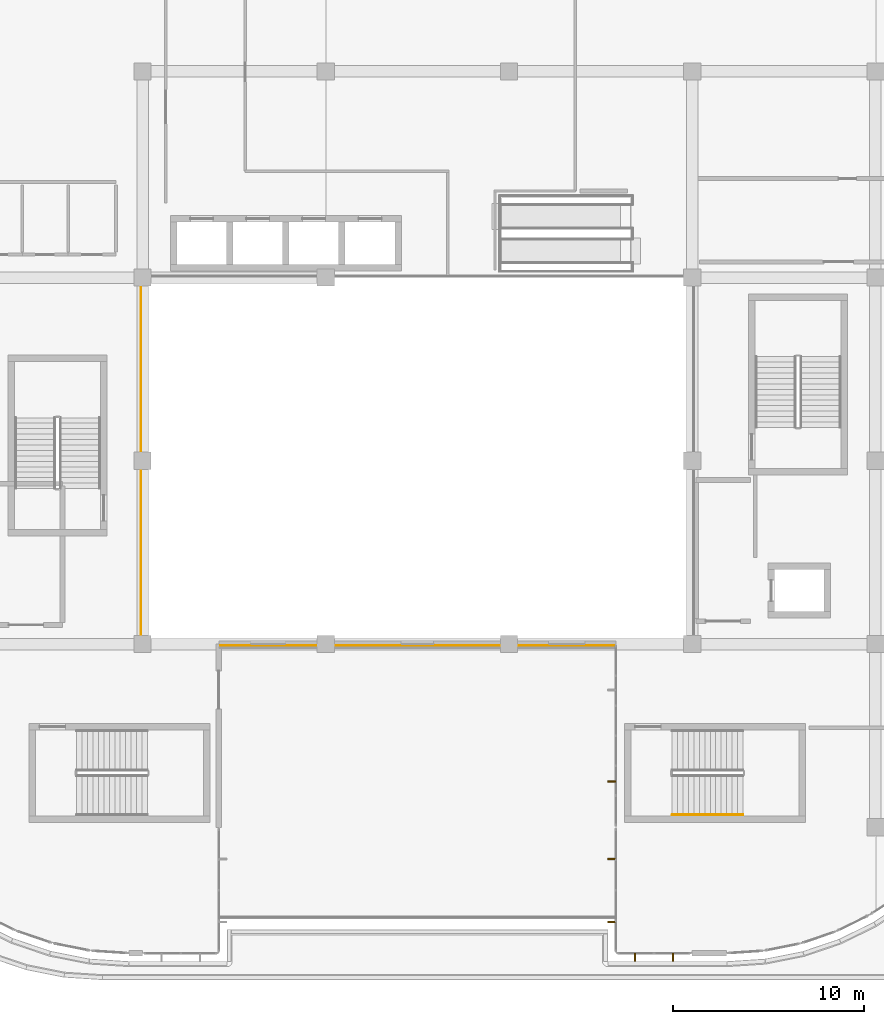
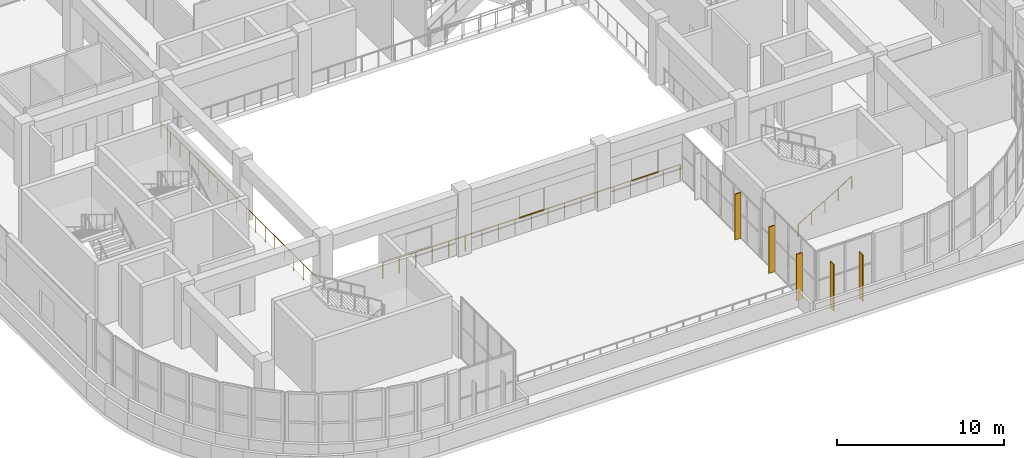
# One storey, part 77 of 96: 5 shading devices, 3 railings.
"""IFC4 building model written with IfcOpenShell, lengths in metres."""

import ifcopenshell
import ifcopenshell.guid

model = None  # the IFC model being written
_history = None  # IfcOwnerHistory: only IFC2X3 demands one
_inside = {}  # id of a spatial element -> (the spatial element, [elements in it])
_under = {}  # id of a project, library or spatial element -> (it, [spatial elements below it])
_declared = {}  # id of a project -> (the project, [libraries it declares])
_typed = {}  # id of a type object -> (the type object, [elements of that type])
_made_of = {}  # id of a material, layer set ... -> (it, [elements and type objects made of it])


def new_model(schema):
    """Start an empty IFC model of exactly this schema.

    Asked for "IFC4X3", IfcOpenShell would pick the latest addendum, in which some entities
    have other attributes; the version numbers below select the first issue.
    IFC2X3 requires an IfcOwnerHistory on every rooted entity: one is made here for all.
    """
    global model, _history
    if schema == "IFC4X3":
        model = ifcopenshell.file(schema_version=(4, 3, 0, 0))
    else:
        model = ifcopenshell.file(schema=schema)
    _inside.clear()
    _under.clear()
    _declared.clear()
    _typed.clear()
    _made_of.clear()
    _history = None
    if model.schema == "IFC2X3":
        org = make("IfcOrganization", Name="unknown")
        user = make(
            "IfcPersonAndOrganization",
            ThePerson=make("IfcPerson", FamilyName="unknown"),
            TheOrganization=org,
        )
        app = make(
            "IfcApplication",
            ApplicationDeveloper=org,
            Version="unknown",
            ApplicationFullName="unknown",
            ApplicationIdentifier="unknown",
        )
        _history = make(
            "IfcOwnerHistory",
            OwningUser=user,
            OwningApplication=app,
            ChangeAction="ADDED",
            CreationDate=0,
        )
    return model


def make(cls, **values):
    """One entity of the class cls with the attributes given. An attribute that is None is left unset."""
    return model.create_entity(
        cls, **{name: value for name, value in values.items() if value is not None}
    )


def rooted(cls, **values):
    """An entity with a GlobalId (a new one), such as an element, a storey or a relation."""
    return make(cls, GlobalId=ifcopenshell.guid.new(), OwnerHistory=_history, **values)


def si_unit(unit_type, name, prefix=None):
    """IfcSIUnit, for example si_unit("LENGTHUNIT", "METRE", prefix="MILLI")."""
    return make("IfcSIUnit", UnitType=unit_type, Prefix=prefix, Name=name)


def assignment(units):
    """IfcUnitAssignment: the units of a project."""
    return None if units is None else make("IfcUnitAssignment", Units=units)


def point(xyz):
    """IfcCartesianPoint."""
    return None if xyz is None else make("IfcCartesianPoint", Coordinates=xyz)


def direction(xyz):
    """IfcDirection."""
    return None if xyz is None else make("IfcDirection", DirectionRatios=xyz)


def frame(location, z_axis=None, x_axis=None):
    """IfcAxis2Placement3D, a coordinate frame: its origin and axes. An axis left out is left unset."""
    return make(
        "IfcAxis2Placement3D",
        Location=point(location),
        Axis=direction(z_axis),
        RefDirection=direction(x_axis),
    )


def frame_2d(location, x_axis=None):
    """IfcAxis2Placement2D, a coordinate frame in the plane: its origin and x axis."""
    return make(
        "IfcAxis2Placement2D", Location=point(location), RefDirection=direction(x_axis)
    )


def origin():
    """The frame at (0, 0, 0) with its axes left unset."""
    return frame((0.0, 0.0, 0.0))


def origin_2d():
    """The frame at (0, 0) in the plane with its x axis left unset."""
    return frame_2d((0.0, 0.0))


def place(relative_to, where):
    """IfcLocalPlacement: puts the frame where relative to a parent placement (None: the world)."""
    return make(
        "IfcLocalPlacement", PlacementRelTo=relative_to, RelativePlacement=where
    )


def context(
    kind, dimensions, precision=None, world=None, true_north=None, identifier=None
):
    """IfcGeometricRepresentationContext, for example the 3D "Model" context."""
    return make(
        "IfcGeometricRepresentationContext",
        ContextIdentifier=identifier,
        ContextType=kind,
        CoordinateSpaceDimension=dimensions,
        Precision=precision,
        WorldCoordinateSystem=world,
        TrueNorth=true_north,
    )


def subcontext(parent, identifier, kind, view, scale=None):
    """IfcGeometricRepresentationSubContext, for example "Body" below "Model"."""
    return make(
        "IfcGeometricRepresentationSubContext",
        ContextIdentifier=identifier,
        ContextType=kind,
        ParentContext=parent,
        TargetScale=scale,
        TargetView=view,
    )


def project(units=None, contexts=None):
    """IfcProject with its units and contexts."""
    return rooted(
        "IfcProject",
        Name="project",
        RepresentationContexts=contexts,
        UnitsInContext=assignment(units),
    )


def spatial(cls, under=None, at=None, **own):
    """A site, building, storey or space (cls), placed at a placement, below another one or the project."""
    s = rooted(cls, ObjectPlacement=at, **own)
    if under is not None:
        _under.setdefault(under.id(), (under, []))[1].append(s)
    return s


def profile(cls, at=None, kind="AREA", **sizes):
    """A parametric profile (cls). Its sizes go by their IFC names, for example OverallWidth=200.0."""
    return make(cls, ProfileType=kind, Position=at, **sizes)


def rectangle(**sizes):
    """IfcRectangleProfileDef."""
    return profile("IfcRectangleProfileDef", **sizes)


def circle(**sizes):
    """IfcCircleProfileDef."""
    return profile("IfcCircleProfileDef", **sizes)


def extrude(swept, where, along, depth):
    """IfcExtrudedAreaSolid: the profile swept, set in the frame where, extruded along a direction by depth."""
    return make(
        "IfcExtrudedAreaSolid",
        SweptArea=swept,
        Position=where,
        ExtrudedDirection=direction(along),
        Depth=depth,
    )


def shape(context_of_items, identifier, shape_type, items):
    """IfcShapeRepresentation: the items that make up one representation, for example the "Body"."""
    return make(
        "IfcShapeRepresentation",
        ContextOfItems=context_of_items,
        RepresentationIdentifier=identifier,
        RepresentationType=shape_type,
        Items=items,
    )


def material(Name=None, Category=None):
    """IfcMaterial."""
    return make("IfcMaterial", Name=Name, Category=Category)


def made_of(thing, what):
    """Note that an element or type object is made of a material, layer set ...; save() writes the relation."""
    if what is not None:
        _made_of.setdefault(what.id(), (what, []))[1].append(thing)
    return thing


def type_object(cls, material=None, **own):
    """A type object (cls), such as IfcWallType, which elements share."""
    return made_of(rooted(cls, **own), material)


def element(
    cls,
    number,
    at=None,
    inside=None,
    cuts=None,
    type_object=None,
    material=None,
    context=None,
    identifier="Body",
    shape_type=None,
    held_by="IfcProductDefinitionShape",
    body=None,
    shapes=None,
    **own,
):
    """One element of the class cls, such as IfcWall. Its Tag is "e" and its number.

    at: its placement. inside: the storey or other place that contains it. cuts: it is an
    opening in that element (IfcRelVoidsElement). A single representation is given by context,
    identifier, shape_type and body (its items); several are given by shapes. held_by: the class
    of the entity that holds the representations. save() writes the other relations.
    """
    e = rooted(cls, Tag="e%d" % number, ObjectPlacement=at, **own)
    if body is not None:
        shapes = [shape(context, identifier, shape_type, body)]
    if shapes is not None:
        e.Representation = make(held_by, Representations=shapes)
    if inside is not None:
        _inside.setdefault(inside.id(), (inside, []))[1].append(e)
    if cuts is not None:
        rooted(
            "IfcRelVoidsElement", RelatingBuildingElement=cuts, RelatedOpeningElement=e
        )
    if type_object is not None:
        _typed.setdefault(type_object.id(), (type_object, []))[1].append(e)
    return made_of(e, material)


def aggregate(whole, parts):
    """IfcRelAggregates: a whole, such as a stair, and the parts it consists of."""
    return rooted("IfcRelAggregates", RelatingObject=whole, RelatedObjects=parts)


def save(model, path):
    """Write the relations noted so far, then the file.

    IfcRelAggregates (storeys below a building ...), IfcRelContainedInSpatialStructure (elements
    in a storey), IfcRelDefinesByType, IfcRelAssociatesMaterial and IfcRelDeclares: one each for
    every whole, place, type object, material and project.
    """
    for whole, parts in _under.values():
        aggregate(whole, parts)
    for where, things in _inside.values():
        rooted(
            "IfcRelContainedInSpatialStructure",
            RelatedElements=things,
            RelatingStructure=where,
        )
    for kind, things in _typed.values():
        rooted("IfcRelDefinesByType", RelatedObjects=things, RelatingType=kind)
    for what, things in _made_of.values():
        rooted("IfcRelAssociatesMaterial", RelatedObjects=things, RelatingMaterial=what)
    for by, libraries in _declared.values():
        rooted("IfcRelDeclares", RelatingContext=by, RelatedDefinitions=libraries)
    model.write(path)


model = new_model("IFC4")

# Units and contexts
model_context = context("Model", 3, precision=1e-05, world=origin(), true_north=direction((0.0, 1.0)))
body_context = subcontext(model_context, "Body", "Model", "MODEL_VIEW")
ifc_project = project(units=[si_unit("LENGTHUNIT", "METRE"), si_unit("AREAUNIT", "SQUARE_METRE"), si_unit("VOLUMEUNIT", "CUBIC_METRE"), si_unit("PLANEANGLEUNIT", "RADIAN"), si_unit("MASSUNIT", "GRAM", prefix="KILO")], contexts=[model_context])

# Site, building, storey
site_placement = place(None, origin())
site = spatial("IfcSite", under=ifc_project, at=site_placement, CompositionType="ELEMENT")
building_placement = place(site_placement, origin())
building = spatial("IfcBuilding", under=site, at=building_placement, Name="Cendralis Terraced Arcade", CompositionType="ELEMENT")
storey_placement = place(building_placement, frame((0.0, 0.0, 10.199951171875)))
storey = spatial("IfcBuildingStorey", under=building, at=storey_placement, Name="L02", CompositionType="ELEMENT", Elevation=10.199951171875)

# Railings
ifc_material_1 = material(Name="Brushed stainless steel AISI 316", Category="steel")
railing_type_1 = type_object("IfcRailingType", Name="RL-STAIR-HAND-900", PredefinedType="HANDRAIL", material=ifc_material_1)
railing_1_placement = place(storey_placement, frame((46.949951171875, 10.25, 0.17138671875)))
element("IfcRailing", 1, at=railing_1_placement, inside=storey, type_object=railing_type_1, Name="L02 ST-03 stair handrail 1", PredefinedType="HANDRAIL", context=body_context, shape_type="SweptSolid", body=[
    extrude(circle(Radius=0.02392578125, at=origin_2d()), frame((0.0, 0.0, 0.8759765625), z_axis=(0.856909459561, 0.0, 0.515466951525), x_axis=(0.0, 1.0, 0.0)), (0.0, 0.0, 1.0), 4.32373046875),
    extrude(circle(Radius=0.02099609375, at=origin_2d()), origin(), (0.0, 0.0, 1.0), 0.851806640625),
    extrude(circle(Radius=0.02099609375, at=origin_2d()), frame((0.92626953125, 0.0, 0.55712890625)), (0.0, 0.0, 1.0), 0.851806640625),
    extrude(circle(Radius=0.02099609375, at=origin_2d()), frame((1.8525390625, 0.0, 1.1142578125)), (0.0, 0.0, 1.0), 0.851806640625),
    extrude(circle(Radius=0.02099609375, at=origin_2d()), frame((2.77880859375, 0.0, 1.671630859375)), (0.0, 0.0, 1.0), 0.851806640625),
    extrude(circle(Radius=0.02099609375, at=origin_2d()), frame((3.705078125, 0.0, 2.228759765625)), (0.0, 0.0, 1.0), 0.851806640625),
])
railing_type_2 = type_object("IfcRailingType", Name="RL-TER-GUARD-1150", PredefinedType="GUARDRAIL", material=ifc_material_1)
railing_2_placement = place(storey_placement, frame((23.300048828125, 19.1201171875, 0.0)))
element("IfcRailing", 2, at=railing_2_placement, inside=storey, type_object=railing_type_2, Name="Planted Terrace Perimeter Guardrail GR-TER-L02-002", PredefinedType="GUARDRAIL", context=body_context, shape_type="SweptSolid", body=[
    extrude(circle(Radius=0.02392578125, at=origin_2d()), frame((0.0, 0.0, 1.1259765625), z_axis=(1.0, 0.0, 0.0), x_axis=(0.0, 1.0, 0.0)), (0.0, 0.0, 1.0), 20.599853515625),
    extrude(circle(Radius=0.02099609375, at=origin_2d()), origin(), (0.0, 0.0, 1.0), 1.101806640625),
    extrude(circle(Radius=0.02099609375, at=origin_2d()), frame((1.14453125, 0.0, 0.0)), (0.0, 0.0, 1.0), 1.101806640625),
    extrude(circle(Radius=0.02099609375, at=origin_2d()), frame((2.288818359375, 0.0, 0.0)), (0.0, 0.0, 1.0), 1.101806640625),
    extrude(circle(Radius=0.02099609375, at=origin_2d()), frame((3.433349609375, 0.0, 0.0)), (0.0, 0.0, 1.0), 1.101806640625),
    extrude(circle(Radius=0.02099609375, at=origin_2d()), frame((4.57763671875, 0.0, 0.0)), (0.0, 0.0, 1.0), 1.101806640625),
    extrude(circle(Radius=0.02099609375, at=origin_2d()), frame((5.72216796875, 0.0, 0.0)), (0.0, 0.0, 1.0), 1.101806640625),
    extrude(circle(Radius=0.02099609375, at=origin_2d()), frame((6.86669921875, 0.0, 0.0)), (0.0, 0.0, 1.0), 1.101806640625),
    extrude(circle(Radius=0.02099609375, at=origin_2d()), frame((8.010986328125, 0.0, 0.0)), (0.0, 0.0, 1.0), 1.101806640625),
    extrude(circle(Radius=0.02099609375, at=origin_2d()), frame((9.155517578125, 0.0, 0.0)), (0.0, 0.0, 1.0), 1.101806640625),
    extrude(circle(Radius=0.02099609375, at=origin_2d()), frame((10.2998046875, 0.0, 0.0)), (0.0, 0.0, 1.0), 1.101806640625),
    extrude(circle(Radius=0.02099609375, at=origin_2d()), frame((11.4443359375, 0.0, 0.0)), (0.0, 0.0, 1.0), 1.101806640625),
    extrude(circle(Radius=0.02099609375, at=origin_2d()), frame((12.5888671875, 0.0, 0.0)), (0.0, 0.0, 1.0), 1.101806640625),
    extrude(circle(Radius=0.02099609375, at=origin_2d()), frame((13.733154296875, 0.0, 0.0)), (0.0, 0.0, 1.0), 1.101806640625),
    extrude(circle(Radius=0.02099609375, at=origin_2d()), frame((14.877685546875, 0.0, 0.0)), (0.0, 0.0, 1.0), 1.101806640625),
    extrude(circle(Radius=0.02099609375, at=origin_2d()), frame((16.022216796875, 0.0, 0.0)), (0.0, 0.0, 1.0), 1.101806640625),
    extrude(circle(Radius=0.02099609375, at=origin_2d()), frame((17.16650390625, 0.0, 0.0)), (0.0, 0.0, 1.0), 1.101806640625),
    extrude(circle(Radius=0.02099609375, at=origin_2d()), frame((18.31103515625, 0.0, 0.0)), (0.0, 0.0, 1.0), 1.101806640625),
    extrude(circle(Radius=0.02099609375, at=origin_2d()), frame((19.455322265625, 0.0, 0.0)), (0.0, 0.0, 1.0), 1.101806640625),
    extrude(circle(Radius=0.02099609375, at=origin_2d()), frame((20.599853515625, 0.0, 0.0)), (0.0, 0.0, 1.0), 1.101806640625),
])
railing_type_3 = type_object("IfcRailingType", Name="RL-VOID-BAL-1150", PredefinedType="BALUSTRADE", material=ifc_material_1)
railing_3_placement = place(storey_placement, frame((19.1201171875, 38.47998046875, 0.0)))
element("IfcRailing", 3, at=railing_3_placement, inside=storey, type_object=railing_type_3, Name="Atrium and Arcade Gallery Balustrade L02-050", PredefinedType="BALUSTRADE", context=body_context, shape_type="SweptSolid", body=[
    extrude(circle(Radius=0.02392578125, at=origin_2d()), frame((0.0, 0.0, 1.1259765625), z_axis=(0.0, -1.0, 0.0), x_axis=(1.0, 0.0, 0.0)), (0.0, 0.0, 1.0), 19.35986328125),
    extrude(circle(Radius=0.02099609375, at=origin_2d()), origin(), (0.0, 0.0, 1.0), 1.101806640625),
    extrude(circle(Radius=0.02099609375, at=origin_2d()), frame((0.0, -1.138916015625, 0.0)), (0.0, 0.0, 1.0), 1.101806640625),
    extrude(circle(Radius=0.02099609375, at=origin_2d()), frame((0.0, -2.277587890625, 0.0)), (0.0, 0.0, 1.0), 1.101806640625),
    extrude(circle(Radius=0.02099609375, at=origin_2d()), frame((0.0, -3.41650390625, 0.0)), (0.0, 0.0, 1.0), 1.101806640625),
    extrude(circle(Radius=0.02099609375, at=origin_2d()), frame((0.0, -4.55517578125, 0.0)), (0.0, 0.0, 1.0), 1.101806640625),
    extrude(circle(Radius=0.02099609375, at=origin_2d()), frame((0.0, -5.694091796875, 0.0)), (0.0, 0.0, 1.0), 1.101806640625),
    extrude(circle(Radius=0.02099609375, at=origin_2d()), frame((0.0, -6.8330078125, 0.0)), (0.0, 0.0, 1.0), 1.101806640625),
    extrude(circle(Radius=0.02099609375, at=origin_2d()), frame((0.0, -7.9716796875, 0.0)), (0.0, 0.0, 1.0), 1.101806640625),
    extrude(circle(Radius=0.02099609375, at=origin_2d()), frame((0.0, -9.110595703125, 0.0)), (0.0, 0.0, 1.0), 1.101806640625),
    extrude(circle(Radius=0.02099609375, at=origin_2d()), frame((0.0, -10.249267578125, 0.0)), (0.0, 0.0, 1.0), 1.101806640625),
    extrude(circle(Radius=0.02099609375, at=origin_2d()), frame((0.0, -11.38818359375, 0.0)), (0.0, 0.0, 1.0), 1.101806640625),
    extrude(circle(Radius=0.02099609375, at=origin_2d()), frame((0.0, -12.52685546875, 0.0)), (0.0, 0.0, 1.0), 1.101806640625),
    extrude(circle(Radius=0.02099609375, at=origin_2d()), frame((0.0, -13.665771484375, 0.0)), (0.0, 0.0, 1.0), 1.101806640625),
    extrude(circle(Radius=0.02099609375, at=origin_2d()), frame((0.0, -14.8046875, 0.0)), (0.0, 0.0, 1.0), 1.101806640625),
    extrude(circle(Radius=0.02099609375, at=origin_2d()), frame((0.0, -15.943359375, 0.0)), (0.0, 0.0, 1.0), 1.101806640625),
    extrude(circle(Radius=0.02099609375, at=origin_2d()), frame((0.0, -17.082275390625, 0.0)), (0.0, 0.0, 1.0), 1.101806640625),
    extrude(circle(Radius=0.02099609375, at=origin_2d()), frame((0.0, -18.220947265625, 0.0)), (0.0, 0.0, 1.0), 1.101806640625),
    extrude(circle(Radius=0.02099609375, at=origin_2d()), frame((0.0, -19.35986328125, 0.0)), (0.0, 0.0, 1.0), 1.101806640625),
])

# Shading devices
ifc_material_2 = material(Name="Anodised aluminium EN AW-6063 T6", Category="aluminium")
shading_device_type = type_object("IfcShadingDeviceType", Name="SHD-FIN-420", PredefinedType="USERDEFINED", material=ifc_material_2)
for number, where, z_axis, x_axis, name in (
    (4, (47.0, 2.784912109375, 0.050048828125), (0.0, 0.0, 1.0), (-1.0, 0.0, 0.0), "Parametric Vertical Solar Fin FIN-L02-073"),
    (5, (45.0, 2.784912109375, 0.050048828125), (0.0, 0.0, 1.0), (-1.0, 0.0, 0.0), "Parametric Vertical Solar Fin FIN-L02-074"),
    (6, (43.784912109375, 4.64990234375, 0.050048828125), (0.0, 0.0, 1.0), (0.0, 1.0, 0.0), "Parametric Vertical Solar Fin FIN-L02-075"),
    (7, (43.784912109375, 7.949951171875, 0.050048828125), (0.0, 0.0, 1.0), (0.0, 1.0, 0.0), "Parametric Vertical Solar Fin FIN-L02-076"),
):
    element("IfcShadingDevice", number, at=place(storey_placement, frame(where, z_axis=z_axis, x_axis=x_axis)), inside=storey, type_object=shading_device_type, Name=name, ObjectType="FIN", PredefinedType="USERDEFINED", context=body_context, shape_type="SweptSolid", body=[
        extrude(rectangle(XDim=0.074951171875, YDim=0.419921875, at=origin_2d()), origin(), (0.0, 0.0, 1.0), 3.39990234375),
    ])
shading_device_placement = place(storey_placement, frame((43.784912109375, 12.0, 0.050048828125), z_axis=(0.0, 0.0, 1.0), x_axis=(0.0, 1.0, 0.0)))
element("IfcShadingDevice", 8, at=shading_device_placement, inside=storey, type_object=shading_device_type, Name="Parametric Vertical Solar Fin FIN-L02-077", ObjectType="FIN", PredefinedType="USERDEFINED", context=body_context, shape_type="SweptSolid", body=[
    extrude(rectangle(XDim=0.074951171875, YDim=0.419921875, at=origin_2d()), origin(), (0.0, 0.0, 1.0), 3.35498046875),
])

save(model, "model.ifc")
